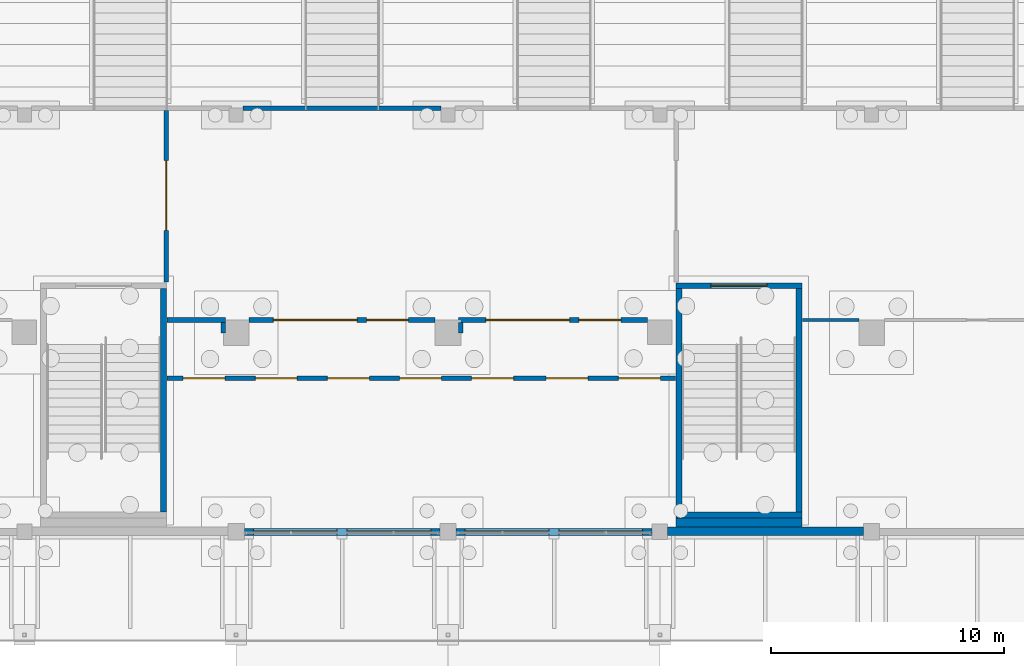
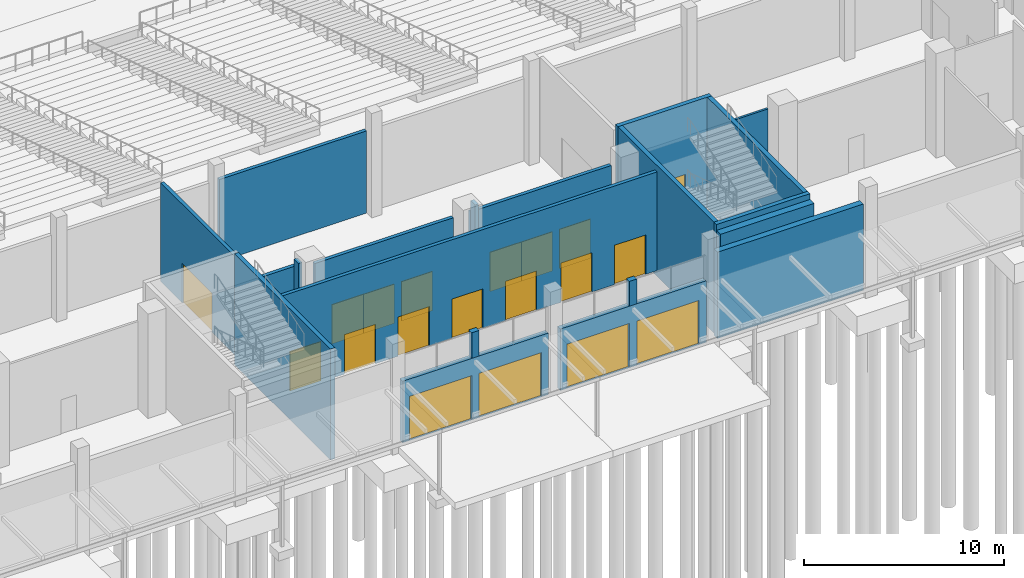
# One storey, part 72 of 129: 20 walls, 19 doors, 19 openings.
"""IFC4 building model written with IfcOpenShell, lengths in metres."""

from ifc_helpers import new_model, si_unit, direction, frame, frame_2d, origin, place, context, subcontext, project, spatial, rectangle, extrude, material, layer, layer_set, type_object, element, fill, save


model = new_model("IFC4")

# Units and contexts
model_context = context("Model", 3, precision=1e-05, world=origin(), true_north=direction((0.0, 1.0)))
body_context = subcontext(model_context, "Body", "Model", "MODEL_VIEW")
ifc_project = project(units=[si_unit("LENGTHUNIT", "METRE"), si_unit("AREAUNIT", "SQUARE_METRE"), si_unit("VOLUMEUNIT", "CUBIC_METRE"), si_unit("PLANEANGLEUNIT", "RADIAN"), si_unit("MASSUNIT", "GRAM", prefix="KILO")], contexts=[model_context])

# Site, building, storey
site_placement = place(None, origin())
site = spatial("IfcSite", under=ifc_project, at=site_placement, CompositionType="ELEMENT")
building_placement = place(site_placement, origin())
building = spatial("IfcBuilding", under=site, at=building_placement, Name="Shirokan Park Arena", CompositionType="ELEMENT")
storey_placement = place(building_placement, origin())
storey = spatial("IfcBuildingStorey", under=building, at=storey_placement, Name="L00", CompositionType="ELEMENT", Elevation=0.0)

# Wall, openings, doors
ifc_material_1 = material(Name="Board-formed concrete C40/50", Category="concrete")
ifc_layer_1 = layer(ifc_material_1, 0.1201171875, Name="Board-formed concrete C40/50")
ifc_material_2 = material(Name="Mineral wool insulation")
ifc_layer_2 = layer(ifc_material_2, 0.10009765625, Name="Mineral wool insulation")
ifc_material_3 = material(Name="Concrete C35", Category="concrete")
ifc_layer_3 = layer(ifc_material_3, 0.080078125, Name="Concrete C35")
ifc_layer_set_1 = layer_set([ifc_layer_1, ifc_layer_2, ifc_layer_3], Name="Board-formed concrete C40/50 + Mineral wool insulation + Concrete C35")
wall_type_1 = type_object("IfcWallType", Name="Board-formed concrete base wall 300", PredefinedType="SOLIDWALL", material=ifc_layer_set_1)
wall_1_placement = place(storey_placement, frame((64.050048828125, 0.0, 0.0), z_axis=(0.0, 0.0, 1.0), x_axis=(1.0, 0.0, 0.0)))
wall_1 = element("IfcWall", 1, at=wall_1_placement, inside=storey, type_object=wall_type_1, Name="South facade wall bay 8 L00", PredefinedType="SOLIDWALL", context=body_context, shape_type="SweptSolid", body=[
    extrude(rectangle(XDim=8.39990234375, YDim=0.300048828125, at=frame_2d((4.199951171875, 0.0))), origin(), (0.0, 0.0, 1.0), 3.75),
])
opening_1_placement = place(wall_1_placement, frame((0.385009765625, 0.0, 0.0)))
opening_1 = element("IfcOpeningElement", 2, at=opening_1_placement, cuts=wall_1, Name="Opening E1-1", PredefinedType="OPENING", context=body_context, shape_type="SweptSolid", body=[
    extrude(rectangle(XDim=3.60009765625, YDim=2.699951171875, at=frame_2d((1.800048828125, 1.35009765625))), frame((0.0, 0.159912109375, 0.0), z_axis=(0.0, -1.0, 0.0), x_axis=(1.0, 0.0, 0.0)), (0.0, 0.0, 1.0), 0.320068359375),
])
opening_2_placement = place(wall_1_placement, frame((4.4150390625, 0.0, 0.0)))
opening_2 = element("IfcOpeningElement", 3, at=opening_2_placement, cuts=wall_1, Name="Opening E1-2", PredefinedType="OPENING", context=body_context, shape_type="SweptSolid", body=[
    extrude(rectangle(XDim=3.60009765625, YDim=2.699951171875, at=frame_2d((1.800048828125, 1.35009765625))), frame((0.0, 0.159912109375, 0.0), z_axis=(0.0, -1.0, 0.0), x_axis=(1.0, 0.0, 0.0)), (0.0, 0.0, 1.0), 0.320068359375),
])
ifc_material_4 = material(Name="Aluminium and glass door", Category="aluminium")
door_type_1 = type_object("IfcDoorType", Name="Entrance door pair 3600x2700", OperationType="DOUBLE_DOOR_SINGLE_SWING", PredefinedType="DOOR", material=ifc_material_4)
door_1_placement = place(opening_1_placement, frame((3.60009765625, 0.0, 0.0), z_axis=(0.0, 0.0, 1.0), x_axis=(-1.0, 0.0, 0.0)))
door_1 = element("IfcDoor", 4, at=door_1_placement, inside=storey, type_object=door_type_1, Name="Entrance E1 door 1", OperationType="DOUBLE_DOOR_SINGLE_SWING", OverallHeight=2.699951171875, OverallWidth=3.60009765625, PredefinedType="DOOR", context=body_context, shape_type="SweptSolid", body=[
    extrude(rectangle(XDim=3.60009765625, YDim=2.699951171875, at=frame_2d((1.800048828125, 1.35009765625))), frame((0.0, 0.02490234375, 0.0), z_axis=(0.0, -1.0, 0.0), x_axis=(1.0, 0.0, 0.0)), (0.0, 0.0, 1.0), 0.050048828125),
])
fill(opening_1, door_1)
door_2_placement = place(opening_2_placement, frame((3.60009765625, 0.0, 0.0), z_axis=(0.0, 0.0, 1.0), x_axis=(-1.0, 0.0, 0.0)))
door_2 = element("IfcDoor", 5, at=door_2_placement, inside=storey, type_object=door_type_1, Name="Entrance E1 door 2", OperationType="DOUBLE_DOOR_SINGLE_SWING", OverallHeight=2.699951171875, OverallWidth=3.60009765625, PredefinedType="DOOR", context=body_context, shape_type="SweptSolid", body=[
    extrude(rectangle(XDim=3.60009765625, YDim=2.699951171875, at=frame_2d((1.800048828125, 1.35009765625))), frame((0.0, 0.02490234375, 0.0), z_axis=(0.0, -1.0, 0.0), x_axis=(1.0, 0.0, 0.0)), (0.0, 0.0, 1.0), 0.050048828125),
])
fill(opening_2, door_2)

# Wall
wall_2_placement = place(storey_placement, frame((68.034912109375, 0.0, 3.75), z_axis=(0.0, 0.0, 1.0), x_axis=(1.0, 0.0, 0.0)))
element("IfcWall", 6, at=wall_2_placement, inside=storey, type_object=wall_type_1, Name="South facade pier over the doors bay 8 L00", PredefinedType="SOLIDWALL", context=body_context, shape_type="SweptSolid", body=[
    extrude(rectangle(XDim=0.43017578125, YDim=0.300048828125, at=frame_2d((0.215087890625, 0.0))), origin(), (0.0, 0.0, 1.0), 1.570068359375),
])

# Wall, openings, doors
wall_3_placement = place(storey_placement, frame((73.14990234375, 0.0, 0.0), z_axis=(0.0, 0.0, 1.0), x_axis=(1.0, 0.0, 0.0)))
wall_3 = element("IfcWall", 7, at=wall_3_placement, inside=storey, type_object=wall_type_1, Name="South facade wall bay 9 L00", PredefinedType="SOLIDWALL", context=body_context, shape_type="SweptSolid", body=[
    extrude(rectangle(XDim=8.425048828125, YDim=0.300048828125, at=frame_2d((4.21240234375, 0.0))), origin(), (0.0, 0.0, 1.0), 3.75),
])
opening_3_placement = place(wall_3_placement, frame((0.385009765625, 0.0, 0.0)))
opening_3 = element("IfcOpeningElement", 8, at=opening_3_placement, cuts=wall_3, Name="Opening E1-3", PredefinedType="OPENING", context=body_context, shape_type="SweptSolid", body=[
    extrude(rectangle(XDim=3.60009765625, YDim=2.699951171875, at=frame_2d((1.800048828125, 1.35009765625))), frame((0.0, 0.159912109375, 0.0), z_axis=(0.0, -1.0, 0.0), x_axis=(1.0, 0.0, 0.0)), (0.0, 0.0, 1.0), 0.320068359375),
])
opening_4_placement = place(wall_3_placement, frame((4.4150390625, 0.0, 0.0)))
opening_4 = element("IfcOpeningElement", 9, at=opening_4_placement, cuts=wall_3, Name="Opening E1-4", PredefinedType="OPENING", context=body_context, shape_type="SweptSolid", body=[
    extrude(rectangle(XDim=3.60009765625, YDim=2.699951171875, at=frame_2d((1.800048828125, 1.35009765625))), frame((0.0, 0.159912109375, 0.0), z_axis=(0.0, -1.0, 0.0), x_axis=(1.0, 0.0, 0.0)), (0.0, 0.0, 1.0), 0.320068359375),
])
door_3_placement = place(opening_3_placement, frame((3.60009765625, 0.0, 0.0), z_axis=(0.0, 0.0, 1.0), x_axis=(-1.0, 0.0, 0.0)))
door_3 = element("IfcDoor", 10, at=door_3_placement, inside=storey, type_object=door_type_1, Name="Entrance E1 door 3", OperationType="DOUBLE_DOOR_SINGLE_SWING", OverallHeight=2.699951171875, OverallWidth=3.60009765625, PredefinedType="DOOR", context=body_context, shape_type="SweptSolid", body=[
    extrude(rectangle(XDim=3.60009765625, YDim=2.699951171875, at=frame_2d((1.800048828125, 1.35009765625))), frame((0.0, 0.02490234375, 0.0), z_axis=(0.0, -1.0, 0.0), x_axis=(1.0, 0.0, 0.0)), (0.0, 0.0, 1.0), 0.050048828125),
])
fill(opening_3, door_3)
door_4_placement = place(opening_4_placement, frame((3.60009765625, 0.0, 0.0), z_axis=(0.0, 0.0, 1.0), x_axis=(-1.0, 0.0, 0.0)))
door_4 = element("IfcDoor", 11, at=door_4_placement, inside=storey, type_object=door_type_1, Name="Entrance E1 door 4", OperationType="DOUBLE_DOOR_SINGLE_SWING", OverallHeight=2.699951171875, OverallWidth=3.60009765625, PredefinedType="DOOR", context=body_context, shape_type="SweptSolid", body=[
    extrude(rectangle(XDim=3.60009765625, YDim=2.699951171875, at=frame_2d((1.800048828125, 1.35009765625))), frame((0.0, 0.02490234375, 0.0), z_axis=(0.0, -1.0, 0.0), x_axis=(1.0, 0.0, 0.0)), (0.0, 0.0, 1.0), 0.050048828125),
])
fill(opening_4, door_4)

# Wall
wall_4_placement = place(storey_placement, frame((77.135009765625, 0.0, 3.75), z_axis=(0.0, 0.0, 1.0), x_axis=(1.0, 0.0, 0.0)))
element("IfcWall", 12, at=wall_4_placement, inside=storey, type_object=wall_type_1, Name="South facade pier over the doors bay 9 L00", PredefinedType="SOLIDWALL", context=body_context, shape_type="SweptSolid", body=[
    extrude(rectangle(XDim=0.429931640625, YDim=0.300048828125, at=frame_2d((0.21484375, 0.0))), origin(), (0.0, 0.0, 1.0), 1.52001953125),
])

# Wall, opening, door
ifc_material_5 = material(Name="Gypsum board")
ifc_layer_4 = layer(ifc_material_5, 0.02490234375, Name="Gypsum board, two layers")
ifc_layer_5 = layer(ifc_material_2, 0.14990234375, Name="Mineral wool insulation")
ifc_layer_6 = layer(ifc_material_5, 0.02490234375, Name="Gypsum board, two layers")
ifc_layer_set_2 = layer_set([ifc_layer_4, ifc_layer_5, ifc_layer_6], Name="Gypsum board, two layers + Mineral wool insulation")
wall_type_2 = type_object("IfcWallType", Name="Corridor wall 200", PredefinedType="PARTITIONING", material=ifc_layer_set_2)
wall_5_placement = place(storey_placement, frame((60.699951171875, 18.10009765625, 0.0), z_axis=(0.0, 0.0, 1.0), x_axis=(0.0, -1.0, 0.0)))
wall_5 = element("IfcWall", 13, at=wall_5_placement, inside=storey, type_object=wall_type_2, Name="Corridor wall 200 L00", PredefinedType="PARTITIONING", context=body_context, shape_type="SweptSolid", body=[
    extrude(rectangle(XDim=7.3701171875, YDim=0.199951171875, at=frame_2d((3.68505859375, 0.0))), origin(), (0.0, 0.0, 1.0), 6.02001953125),
])
opening_5_placement = place(wall_5_placement, frame((2.14990234375, 0.0, 0.0)))
opening_5 = element("IfcOpeningElement", 14, at=opening_5_placement, cuts=wall_5, Name="Opening D-0142", PredefinedType="OPENING", context=body_context, shape_type="SweptSolid", body=[
    extrude(rectangle(XDim=3.0, YDim=2.39990234375, at=frame_2d((1.5, 1.199951171875))), frame((0.0, 0.10986328125, 0.0), z_axis=(0.0, -1.0, 0.0), x_axis=(1.0, 0.0, 0.0)), (0.0, 0.0, 1.0), 0.219970703125),
])
ifc_material_6 = material(Name="Glazed steel door set, fire resisting", Category="steel")
door_type_2 = type_object("IfcDoorType", Name="Concourse door 3000 x 2400", OperationType="DOUBLE_DOOR_SINGLE_SWING", PredefinedType="DOOR", material=ifc_material_6)
door_5_placement = place(opening_5_placement, origin())
door_5 = element("IfcDoor", 15, at=door_5_placement, inside=storey, type_object=door_type_2, Name="Door between Entrance Concourse E1 and Cloakroom Hall E1 D-0142", OperationType="DOUBLE_DOOR_SINGLE_SWING", OverallHeight=2.39990234375, OverallWidth=3.0, PredefinedType="DOOR", context=body_context, shape_type="SweptSolid", body=[
    extrude(rectangle(XDim=3.0, YDim=2.39990234375, at=frame_2d((1.5, 1.199951171875))), frame((0.0, 0.02490234375, 0.0), z_axis=(0.0, -1.0, 0.0), x_axis=(1.0, 0.0, 0.0)), (0.0, 0.0, 1.0), 0.050048828125),
])
fill(opening_5, door_5)

# Walls
wall_6_placement = place(storey_placement, frame((63.14990234375, 8.550048828125, 0.0), z_axis=(0.0, 0.0, 1.0), x_axis=(0.0, 1.0, 0.0)))
element("IfcWall", 16, at=wall_6_placement, inside=storey, type_object=wall_type_2, Name="Corridor wall 200 L00", PredefinedType="PARTITIONING", context=body_context, shape_type="SweptSolid", body=[
    extrude(rectangle(XDim=0.449951171875, YDim=0.199951171875, at=frame_2d((0.22509765625, 0.0))), origin(), (0.0, 0.0, 1.0), 6.02001953125),
])
wall_7_placement = place(storey_placement, frame((63.25, 9.10009765625, 0.0), z_axis=(0.0, 0.0, 1.0), x_axis=(-1.0, 0.0, 0.0)))
element("IfcWall", 17, at=wall_7_placement, inside=storey, type_object=wall_type_2, Name="Corridor wall 200 L00", PredefinedType="PARTITIONING", context=body_context, shape_type="SweptSolid", body=[
    extrude(rectangle(XDim=2.52001953125, YDim=0.199951171875, at=frame_2d((1.260009765625, 0.0))), origin(), (0.0, 0.0, 1.0), 5.570068359375),
])
wall_8_placement = place(storey_placement, frame((64.0, 18.199951171875, 0.0), z_axis=(0.0, 0.0, 1.0), x_axis=(1.0, 0.0, 0.0)))
element("IfcWall", 18, at=wall_8_placement, inside=storey, type_object=wall_type_2, Name="Corridor wall 200 L00", PredefinedType="PARTITIONING", context=body_context, shape_type="SweptSolid", body=[
    extrude(rectangle(XDim=8.5, YDim=0.199951171875, at=frame_2d((4.25, 0.0))), origin(), (0.0, 0.0, 1.0), 5.02001953125),
])

# Wall, openings, doors
wall_9_placement = place(storey_placement, frame((72.25, 9.10009765625, 0.0), z_axis=(0.0, 0.0, 1.0), x_axis=(-1.0, 0.0, 0.0)))
wall_9 = element("IfcWall", 19, at=wall_9_placement, inside=storey, type_object=wall_type_2, Name="Corridor wall 200 L00", PredefinedType="PARTITIONING", context=body_context, shape_type="SweptSolid", body=[
    extrude(rectangle(XDim=8.0, YDim=0.199951171875, at=frame_2d((4.0, 0.0))), origin(), (0.0, 0.0, 1.0), 5.320068359375),
])
opening_6_placement = place(wall_9_placement, frame((1.14990234375, 0.0, 0.0)))
opening_6 = element("IfcOpeningElement", 20, at=opening_6_placement, cuts=wall_9, Name="Opening D-0139", PredefinedType="OPENING", context=body_context, shape_type="SweptSolid", body=[
    extrude(rectangle(XDim=1.800048828125, YDim=2.39990234375, at=frame_2d((0.89990234375, 1.199951171875))), frame((0.0, 0.10986328125, 0.0), z_axis=(0.0, -1.0, 0.0), x_axis=(1.0, 0.0, 0.0)), (0.0, 0.0, 1.0), 0.219970703125),
])
opening_7_placement = place(wall_9_placement, frame((5.14990234375, 0.0, 0.0)))
opening_7 = element("IfcOpeningElement", 21, at=opening_7_placement, cuts=wall_9, Name="Opening D-0140", PredefinedType="OPENING", context=body_context, shape_type="SweptSolid", body=[
    extrude(rectangle(XDim=1.800048828125, YDim=2.39990234375, at=frame_2d((0.89990234375, 1.199951171875))), frame((0.0, 0.10986328125, 0.0), z_axis=(0.0, -1.0, 0.0), x_axis=(1.0, 0.0, 0.0)), (0.0, 0.0, 1.0), 0.219970703125),
])
opening_8_placement = place(wall_9_placement, frame((3.35009765625, 0.0, 0.0)))
opening_8 = element("IfcOpeningElement", 22, at=opening_8_placement, cuts=wall_9, Name="Opening D-0141", PredefinedType="OPENING", context=body_context, shape_type="SweptSolid", body=[
    extrude(rectangle(XDim=1.800048828125, YDim=2.39990234375, at=frame_2d((0.89990234375, 1.199951171875))), frame((0.0, 0.10986328125, 0.0), z_axis=(0.0, -1.0, 0.0), x_axis=(1.0, 0.0, 0.0)), (0.0, 0.0, 1.0), 0.219970703125),
])
door_type_3 = type_object("IfcDoorType", Name="Lift lobby door 1800 x 2400", OperationType="DOUBLE_DOOR_SINGLE_SWING", PredefinedType="DOOR", material=ifc_material_6)
door_6_placement = place(opening_6_placement, origin())
door_6 = element("IfcDoor", 23, at=door_6_placement, inside=storey, type_object=door_type_3, Name="Door between Entrance Concourse E1 and Bag Check Hall E1 D-0139", OperationType="DOUBLE_DOOR_SINGLE_SWING", OverallHeight=2.39990234375, OverallWidth=1.800048828125, PredefinedType="DOOR", context=body_context, shape_type="SweptSolid", body=[
    extrude(rectangle(XDim=1.800048828125, YDim=2.39990234375, at=frame_2d((0.89990234375, 1.199951171875))), frame((0.0, 0.02490234375, 0.0), z_axis=(0.0, -1.0, 0.0), x_axis=(1.0, 0.0, 0.0)), (0.0, 0.0, 1.0), 0.050048828125),
])
fill(opening_6, door_6)
door_7_placement = place(opening_7_placement, origin())
door_7 = element("IfcDoor", 24, at=door_7_placement, inside=storey, type_object=door_type_3, Name="Door between Entrance Concourse E1 and Bag Check Hall E1 D-0140", OperationType="DOUBLE_DOOR_SINGLE_SWING", OverallHeight=2.39990234375, OverallWidth=1.800048828125, PredefinedType="DOOR", context=body_context, shape_type="SweptSolid", body=[
    extrude(rectangle(XDim=1.800048828125, YDim=2.39990234375, at=frame_2d((0.89990234375, 1.199951171875))), frame((0.0, 0.02490234375, 0.0), z_axis=(0.0, -1.0, 0.0), x_axis=(1.0, 0.0, 0.0)), (0.0, 0.0, 1.0), 0.050048828125),
])
fill(opening_7, door_7)
door_8_placement = place(opening_8_placement, origin())
door_8 = element("IfcDoor", 25, at=door_8_placement, inside=storey, type_object=door_type_3, Name="Door between Entrance Concourse E1 and Bag Check Hall E1 D-0141", OperationType="DOUBLE_DOOR_SINGLE_SWING", OverallHeight=2.39990234375, OverallWidth=1.800048828125, PredefinedType="DOOR", context=body_context, shape_type="SweptSolid", body=[
    extrude(rectangle(XDim=1.800048828125, YDim=2.39990234375, at=frame_2d((0.89990234375, 1.199951171875))), frame((0.0, 0.02490234375, 0.0), z_axis=(0.0, -1.0, 0.0), x_axis=(1.0, 0.0, 0.0)), (0.0, 0.0, 1.0), 0.050048828125),
])
fill(opening_8, door_8)

# Wall
wall_10_placement = place(storey_placement, frame((73.35009765625, 9.0, 0.0), z_axis=(0.0, 0.0, 1.0), x_axis=(0.0, -1.0, 0.0)))
element("IfcWall", 26, at=wall_10_placement, inside=storey, type_object=wall_type_2, Name="Corridor wall 200 L00", PredefinedType="PARTITIONING", context=body_context, shape_type="SweptSolid", body=[
    extrude(rectangle(XDim=0.449951171875, YDim=0.199951171875, at=frame_2d((0.22509765625, 0.0))), origin(), (0.0, 0.0, 1.0), 6.02001953125),
])

# Wall, openings, doors
wall_11_placement = place(storey_placement, frame((81.375, 9.10009765625, 0.0), z_axis=(0.0, 0.0, 1.0), x_axis=(-1.0, 0.0, 0.0)))
wall_11 = element("IfcWall", 27, at=wall_11_placement, inside=storey, type_object=wall_type_2, Name="Corridor wall 200 L00", PredefinedType="PARTITIONING", context=body_context, shape_type="SweptSolid", body=[
    extrude(rectangle(XDim=8.125, YDim=0.199951171875, at=frame_2d((4.0625, 0.0))), origin(), (0.0, 0.0, 1.0), 5.320068359375),
])
opening_9_placement = place(wall_11_placement, frame((1.14990234375, 0.0, 0.0)))
opening_9 = element("IfcOpeningElement", 28, at=opening_9_placement, cuts=wall_11, Name="Opening D-0136", PredefinedType="OPENING", context=body_context, shape_type="SweptSolid", body=[
    extrude(rectangle(XDim=1.800048828125, YDim=2.39990234375, at=frame_2d((0.89990234375, 1.199951171875))), frame((0.0, 0.10986328125, 0.0), z_axis=(0.0, -1.0, 0.0), x_axis=(1.0, 0.0, 0.0)), (0.0, 0.0, 1.0), 0.219970703125),
])
opening_10_placement = place(wall_11_placement, frame((5.14990234375, 0.0, 0.0)))
opening_10 = element("IfcOpeningElement", 29, at=opening_10_placement, cuts=wall_11, Name="Opening D-0137", PredefinedType="OPENING", context=body_context, shape_type="SweptSolid", body=[
    extrude(rectangle(XDim=1.800048828125, YDim=2.39990234375, at=frame_2d((0.89990234375, 1.199951171875))), frame((0.0, 0.10986328125, 0.0), z_axis=(0.0, -1.0, 0.0), x_axis=(1.0, 0.0, 0.0)), (0.0, 0.0, 1.0), 0.219970703125),
])
opening_11_placement = place(wall_11_placement, frame((3.35009765625, 0.0, 0.0)))
opening_11 = element("IfcOpeningElement", 30, at=opening_11_placement, cuts=wall_11, Name="Opening D-0138", PredefinedType="OPENING", context=body_context, shape_type="SweptSolid", body=[
    extrude(rectangle(XDim=1.800048828125, YDim=2.39990234375, at=frame_2d((0.89990234375, 1.199951171875))), frame((0.0, 0.10986328125, 0.0), z_axis=(0.0, -1.0, 0.0), x_axis=(1.0, 0.0, 0.0)), (0.0, 0.0, 1.0), 0.219970703125),
])
door_9_placement = place(opening_9_placement, origin())
door_9 = element("IfcDoor", 31, at=door_9_placement, inside=storey, type_object=door_type_3, Name="Door between Entrance Concourse E1 and Bag Check Hall E1 D-0136", OperationType="DOUBLE_DOOR_SINGLE_SWING", OverallHeight=2.39990234375, OverallWidth=1.800048828125, PredefinedType="DOOR", context=body_context, shape_type="SweptSolid", body=[
    extrude(rectangle(XDim=1.800048828125, YDim=2.39990234375, at=frame_2d((0.89990234375, 1.199951171875))), frame((0.0, 0.02490234375, 0.0), z_axis=(0.0, -1.0, 0.0), x_axis=(1.0, 0.0, 0.0)), (0.0, 0.0, 1.0), 0.050048828125),
])
fill(opening_9, door_9)
door_10_placement = place(opening_10_placement, origin())
door_10 = element("IfcDoor", 32, at=door_10_placement, inside=storey, type_object=door_type_3, Name="Door between Entrance Concourse E1 and Bag Check Hall E1 D-0137", OperationType="DOUBLE_DOOR_SINGLE_SWING", OverallHeight=2.39990234375, OverallWidth=1.800048828125, PredefinedType="DOOR", context=body_context, shape_type="SweptSolid", body=[
    extrude(rectangle(XDim=1.800048828125, YDim=2.39990234375, at=frame_2d((0.89990234375, 1.199951171875))), frame((0.0, 0.02490234375, 0.0), z_axis=(0.0, -1.0, 0.0), x_axis=(1.0, 0.0, 0.0)), (0.0, 0.0, 1.0), 0.050048828125),
])
fill(opening_10, door_10)
door_11_placement = place(opening_11_placement, origin())
door_11 = element("IfcDoor", 33, at=door_11_placement, inside=storey, type_object=door_type_3, Name="Door between Entrance Concourse E1 and Bag Check Hall E1 D-0138", OperationType="DOUBLE_DOOR_SINGLE_SWING", OverallHeight=2.39990234375, OverallWidth=1.800048828125, PredefinedType="DOOR", context=body_context, shape_type="SweptSolid", body=[
    extrude(rectangle(XDim=1.800048828125, YDim=2.39990234375, at=frame_2d((0.89990234375, 1.199951171875))), frame((0.0, 0.02490234375, 0.0), z_axis=(0.0, -1.0, 0.0), x_axis=(1.0, 0.0, 0.0)), (0.0, 0.0, 1.0), 0.050048828125),
])
fill(opening_11, door_11)

wall_12_placement = place(storey_placement, frame((82.570068359375, 6.60009765625, 0.0), z_axis=(0.0, 0.0, 1.0), x_axis=(-1.0, 0.0, 0.0)))
wall_12 = element("IfcWall", 34, at=wall_12_placement, inside=storey, type_object=wall_type_2, Name="Corridor wall 200 L00", PredefinedType="PARTITIONING", context=body_context, shape_type="SweptSolid", body=[
    extrude(rectangle(XDim=21.840087890625, YDim=0.199951171875, at=frame_2d((10.919921875, 0.0))), origin(), (0.0, 0.0, 1.0), 6.02001953125),
])
opening_12_placement = place(wall_12_placement, frame((0.64990234375, 0.0, 0.0)))
opening_12 = element("IfcOpeningElement", 35, at=opening_12_placement, cuts=wall_12, Name="Opening D-0143", PredefinedType="OPENING", context=body_context, shape_type="SweptSolid", body=[
    extrude(rectangle(XDim=1.800048828125, YDim=2.39990234375, at=frame_2d((0.89990234375, 1.199951171875))), frame((0.0, 0.10986328125, 0.0), z_axis=(0.0, -1.0, 0.0), x_axis=(1.0, 0.0, 0.0)), (0.0, 0.0, 1.0), 0.219970703125),
])
opening_13_placement = place(wall_12_placement, frame((3.75, 0.0, 0.0)))
opening_13 = element("IfcOpeningElement", 36, at=opening_13_placement, cuts=wall_12, Name="Opening D-0144", PredefinedType="OPENING", context=body_context, shape_type="SweptSolid", body=[
    extrude(rectangle(XDim=1.800048828125, YDim=2.39990234375, at=frame_2d((0.89990234375, 1.199951171875))), frame((0.0, 0.10986328125, 0.0), z_axis=(0.0, -1.0, 0.0), x_axis=(1.0, 0.0, 0.0)), (0.0, 0.0, 1.0), 0.219970703125),
])
opening_14_placement = place(wall_12_placement, frame((6.949951171875, 0.0, 0.0)))
opening_14 = element("IfcOpeningElement", 37, at=opening_14_placement, cuts=wall_12, Name="Opening D-0145", PredefinedType="OPENING", context=body_context, shape_type="SweptSolid", body=[
    extrude(rectangle(XDim=1.800048828125, YDim=2.39990234375, at=frame_2d((0.89990234375, 1.199951171875))), frame((0.0, 0.10986328125, 0.0), z_axis=(0.0, -1.0, 0.0), x_axis=(1.0, 0.0, 0.0)), (0.0, 0.0, 1.0), 0.219970703125),
])
opening_15_placement = place(wall_12_placement, frame((10.050048828125, 0.0, 0.0)))
opening_15 = element("IfcOpeningElement", 38, at=opening_15_placement, cuts=wall_12, Name="Opening D-0146", PredefinedType="OPENING", context=body_context, shape_type="SweptSolid", body=[
    extrude(rectangle(XDim=1.800048828125, YDim=2.39990234375, at=frame_2d((0.89990234375, 1.199951171875))), frame((0.0, 0.10986328125, 0.0), z_axis=(0.0, -1.0, 0.0), x_axis=(1.0, 0.0, 0.0)), (0.0, 0.0, 1.0), 0.219970703125),
])
opening_16_placement = place(wall_12_placement, frame((13.14990234375, 0.0, 0.0)))
opening_16 = element("IfcOpeningElement", 39, at=opening_16_placement, cuts=wall_12, Name="Opening D-0147", PredefinedType="OPENING", context=body_context, shape_type="SweptSolid", body=[
    extrude(rectangle(XDim=1.800048828125, YDim=2.39990234375, at=frame_2d((0.89990234375, 1.199951171875))), frame((0.0, 0.10986328125, 0.0), z_axis=(0.0, -1.0, 0.0), x_axis=(1.0, 0.0, 0.0)), (0.0, 0.0, 1.0), 0.219970703125),
])
opening_17_placement = place(wall_12_placement, frame((16.25, 0.0, 0.0)))
opening_17 = element("IfcOpeningElement", 40, at=opening_17_placement, cuts=wall_12, Name="Opening D-0148", PredefinedType="OPENING", context=body_context, shape_type="SweptSolid", body=[
    extrude(rectangle(XDim=1.800048828125, YDim=2.39990234375, at=frame_2d((0.89990234375, 1.199951171875))), frame((0.0, 0.10986328125, 0.0), z_axis=(0.0, -1.0, 0.0), x_axis=(1.0, 0.0, 0.0)), (0.0, 0.0, 1.0), 0.219970703125),
])
opening_18_placement = place(wall_12_placement, frame((19.35009765625, 0.0, 0.0)))
opening_18 = element("IfcOpeningElement", 41, at=opening_18_placement, cuts=wall_12, Name="Opening D-0149", PredefinedType="OPENING", context=body_context, shape_type="SweptSolid", body=[
    extrude(rectangle(XDim=1.800048828125, YDim=2.39990234375, at=frame_2d((0.89990234375, 1.199951171875))), frame((0.0, 0.10986328125, 0.0), z_axis=(0.0, -1.0, 0.0), x_axis=(1.0, 0.0, 0.0)), (0.0, 0.0, 1.0), 0.219970703125),
])
door_12_placement = place(opening_12_placement, origin())
door_12 = element("IfcDoor", 42, at=door_12_placement, inside=storey, type_object=door_type_3, Name="Door between Street Vestibule E1 and Bag Check Hall E1 D-0143", OperationType="DOUBLE_DOOR_SINGLE_SWING", OverallHeight=2.39990234375, OverallWidth=1.800048828125, PredefinedType="DOOR", context=body_context, shape_type="SweptSolid", body=[
    extrude(rectangle(XDim=1.800048828125, YDim=2.39990234375, at=frame_2d((0.89990234375, 1.199951171875))), frame((0.0, 0.02490234375, 0.0), z_axis=(0.0, -1.0, 0.0), x_axis=(1.0, 0.0, 0.0)), (0.0, 0.0, 1.0), 0.050048828125),
])
fill(opening_12, door_12)
door_13_placement = place(opening_13_placement, origin())
door_13 = element("IfcDoor", 43, at=door_13_placement, inside=storey, type_object=door_type_3, Name="Door between Street Vestibule E1 and Bag Check Hall E1 D-0144", OperationType="DOUBLE_DOOR_SINGLE_SWING", OverallHeight=2.39990234375, OverallWidth=1.800048828125, PredefinedType="DOOR", context=body_context, shape_type="SweptSolid", body=[
    extrude(rectangle(XDim=1.800048828125, YDim=2.39990234375, at=frame_2d((0.89990234375, 1.199951171875))), frame((0.0, 0.02490234375, 0.0), z_axis=(0.0, -1.0, 0.0), x_axis=(1.0, 0.0, 0.0)), (0.0, 0.0, 1.0), 0.050048828125),
])
fill(opening_13, door_13)
door_14_placement = place(opening_14_placement, origin())
door_14 = element("IfcDoor", 44, at=door_14_placement, inside=storey, type_object=door_type_3, Name="Door between Street Vestibule E1 and Bag Check Hall E1 D-0145", OperationType="DOUBLE_DOOR_SINGLE_SWING", OverallHeight=2.39990234375, OverallWidth=1.800048828125, PredefinedType="DOOR", context=body_context, shape_type="SweptSolid", body=[
    extrude(rectangle(XDim=1.800048828125, YDim=2.39990234375, at=frame_2d((0.89990234375, 1.199951171875))), frame((0.0, 0.02490234375, 0.0), z_axis=(0.0, -1.0, 0.0), x_axis=(1.0, 0.0, 0.0)), (0.0, 0.0, 1.0), 0.050048828125),
])
fill(opening_14, door_14)
door_15_placement = place(opening_15_placement, origin())
door_15 = element("IfcDoor", 45, at=door_15_placement, inside=storey, type_object=door_type_3, Name="Door between Street Vestibule E1 and Bag Check Hall E1 D-0146", OperationType="DOUBLE_DOOR_SINGLE_SWING", OverallHeight=2.39990234375, OverallWidth=1.800048828125, PredefinedType="DOOR", context=body_context, shape_type="SweptSolid", body=[
    extrude(rectangle(XDim=1.800048828125, YDim=2.39990234375, at=frame_2d((0.89990234375, 1.199951171875))), frame((0.0, 0.02490234375, 0.0), z_axis=(0.0, -1.0, 0.0), x_axis=(1.0, 0.0, 0.0)), (0.0, 0.0, 1.0), 0.050048828125),
])
fill(opening_15, door_15)
door_16_placement = place(opening_16_placement, origin())
door_16 = element("IfcDoor", 46, at=door_16_placement, inside=storey, type_object=door_type_3, Name="Door between Street Vestibule E1 and Bag Check Hall E1 D-0147", OperationType="DOUBLE_DOOR_SINGLE_SWING", OverallHeight=2.39990234375, OverallWidth=1.800048828125, PredefinedType="DOOR", context=body_context, shape_type="SweptSolid", body=[
    extrude(rectangle(XDim=1.800048828125, YDim=2.39990234375, at=frame_2d((0.89990234375, 1.199951171875))), frame((0.0, 0.02490234375, 0.0), z_axis=(0.0, -1.0, 0.0), x_axis=(1.0, 0.0, 0.0)), (0.0, 0.0, 1.0), 0.050048828125),
])
fill(opening_16, door_16)
door_17_placement = place(opening_17_placement, origin())
door_17 = element("IfcDoor", 47, at=door_17_placement, inside=storey, type_object=door_type_3, Name="Door between Street Vestibule E1 and Bag Check Hall E1 D-0148", OperationType="DOUBLE_DOOR_SINGLE_SWING", OverallHeight=2.39990234375, OverallWidth=1.800048828125, PredefinedType="DOOR", context=body_context, shape_type="SweptSolid", body=[
    extrude(rectangle(XDim=1.800048828125, YDim=2.39990234375, at=frame_2d((0.89990234375, 1.199951171875))), frame((0.0, 0.02490234375, 0.0), z_axis=(0.0, -1.0, 0.0), x_axis=(1.0, 0.0, 0.0)), (0.0, 0.0, 1.0), 0.050048828125),
])
fill(opening_17, door_17)
door_18_placement = place(opening_18_placement, origin())
door_18 = element("IfcDoor", 48, at=door_18_placement, inside=storey, type_object=door_type_3, Name="Door between Street Vestibule E1 and Bag Check Hall E1 D-0149", OperationType="DOUBLE_DOOR_SINGLE_SWING", OverallHeight=2.39990234375, OverallWidth=1.800048828125, PredefinedType="DOOR", context=body_context, shape_type="SweptSolid", body=[
    extrude(rectangle(XDim=1.800048828125, YDim=2.39990234375, at=frame_2d((0.89990234375, 1.199951171875))), frame((0.0, 0.02490234375, 0.0), z_axis=(0.0, -1.0, 0.0), x_axis=(1.0, 0.0, 0.0)), (0.0, 0.0, 1.0), 0.050048828125),
])
fill(opening_18, door_18)

# Walls
ifc_material_7 = material(Name="Cedar cladding")
ifc_layer_7 = layer(ifc_material_7, 0.030029296875, Name="Cedar cladding")
ifc_layer_8 = layer(ifc_material_2, 0.10009765625, Name="Mineral wool insulation")
ifc_layer_9 = layer(ifc_material_3, 0.199951171875, Name="Concrete C35")
ifc_material_8 = material(Name="Gypsum board lining")
ifc_layer_10 = layer(ifc_material_8, 0.02001953125, Name="Gypsum board lining")
ifc_layer_set_3 = layer_set([ifc_layer_7, ifc_layer_8, ifc_layer_9, ifc_layer_10], Name="Cedar cladding + Mineral wool insulation + Concrete C35 + Gypsum board lining")
wall_type_3 = type_object("IfcWallType", Name="Insulated tower wall 350", PredefinedType="SOLIDWALL", material=ifc_layer_set_3)
wall_13_placement = place(storey_placement, frame((82.22509765625, 0.02490234375, 0.0), z_axis=(0.0, 0.0, 1.0), x_axis=(1.0, 0.0, 0.0)))
element("IfcWall", 49, at=wall_13_placement, inside=storey, type_object=wall_type_3, Name="South facade wall bay 10 L00", PredefinedType="SOLIDWALL", context=body_context, shape_type="SweptSolid", body=[
    extrude(rectangle(XDim=8.4248046875, YDim=0.35009765625, at=frame_2d((4.21240234375, 0.0))), origin(), (0.0, 0.0, 1.0), 5.27001953125),
])
ifc_material_9 = material(Name="Concrete C40/50", Category="concrete")
ifc_layer_11 = layer(ifc_material_9, 0.25)
ifc_layer_set_4 = layer_set([ifc_layer_11], Name="Concrete C40/50 250 mm")
wall_type_4 = type_object("IfcWallType", Name="RC shear wall 250", PredefinedType="SHEAR", material=ifc_layer_set_4)
wall_14_placement = place(storey_placement, frame((60.574951171875, 10.449951171875, -0.39990234375), z_axis=(0.0, 0.0, 1.0), x_axis=(0.0, -1.0, 0.0)))
element("IfcWall", 50, at=wall_14_placement, inside=storey, type_object=wall_type_4, Name="Shaft wall Entrance Stair E1.1 E L00", PredefinedType="SHEAR", context=body_context, shape_type="SweptSolid", body=[
    extrude(rectangle(XDim=9.599853515625, YDim=0.25, at=frame_2d((4.7998046875, 0.0))), origin(), (0.0, 0.0, 1.0), 6.77001953125),
])
wall_15_placement = place(storey_placement, frame((88.0, 0.72509765625, -0.39990234375), z_axis=(0.0, 0.0, 1.0), x_axis=(-1.0, 0.0, 0.0)))
element("IfcWall", 51, at=wall_15_placement, inside=storey, type_object=wall_type_4, Name="Shaft wall Entrance Stair E1.2 S L00", PredefinedType="SHEAR", context=body_context, shape_type="SweptSolid", body=[
    extrude(rectangle(XDim=5.39990234375, YDim=0.25, at=frame_2d((2.699951171875, 0.0))), origin(), (0.0, 0.0, 1.0), 6.77001953125),
])

# Wall, opening, door
wall_16_placement = place(storey_placement, frame((88.0, 10.574951171875, -0.39990234375), z_axis=(0.0, 0.0, 1.0), x_axis=(-1.0, 0.0, 0.0)))
wall_16 = element("IfcWall", 52, at=wall_16_placement, inside=storey, type_object=wall_type_4, Name="Shaft wall Entrance Stair E1.2 N L00", PredefinedType="SHEAR", context=body_context, shape_type="SweptSolid", body=[
    extrude(rectangle(XDim=5.39990234375, YDim=0.25, at=frame_2d((2.699951171875, 0.0))), origin(), (0.0, 0.0, 1.0), 6.77001953125),
])
opening_19_placement = place(wall_16_placement, frame((1.5, 0.0, 0.39990234375)))
opening_19 = element("IfcOpeningElement", 53, at=opening_19_placement, cuts=wall_16, Name="Opening D-0197", PredefinedType="OPENING", context=body_context, shape_type="SweptSolid", body=[
    extrude(rectangle(XDim=2.39990234375, YDim=2.10009765625, at=frame_2d((1.199951171875, 1.050048828125))), frame((0.0, 0.135009765625, 0.0), z_axis=(0.0, -1.0, 0.0), x_axis=(1.0, 0.0, 0.0)), (0.0, 0.0, 1.0), 0.27001953125),
])
ifc_material_10 = material(Name="Steel door set, fire resisting", Category="steel")
door_type_4 = type_object("IfcDoorType", Name="Stair door 2400 x 2100", OperationType="DOUBLE_DOOR_SINGLE_SWING", PredefinedType="DOOR", material=ifc_material_10)
door_19_placement = place(opening_19_placement, origin())
door_19 = element("IfcDoor", 54, at=door_19_placement, inside=storey, type_object=door_type_4, Name="Stair door Entrance Stair E1.2 D-0197", OperationType="DOUBLE_DOOR_SINGLE_SWING", OverallHeight=2.10009765625, OverallWidth=2.39990234375, PredefinedType="DOOR", context=body_context, shape_type="SweptSolid", body=[
    extrude(rectangle(XDim=2.39990234375, YDim=2.10009765625, at=frame_2d((1.199951171875, 1.050048828125))), frame((0.0, 0.02490234375, 0.0), z_axis=(0.0, -1.0, 0.0), x_axis=(1.0, 0.0, 0.0)), (0.0, 0.0, 1.0), 0.050048828125),
])
fill(opening_19, door_19)

# Walls
for number, where, z_axis, x_axis, name in (
    (55, (82.72509765625, 10.449951171875, -0.39990234375), (0.0, 0.0, 1.0), (0.0, -1.0, 0.0), "Shaft wall Entrance Stair E1.2 W L00"),
    (56, (87.875, 10.449951171875, -0.39990234375), (0.0, 0.0, 1.0), (0.0, -1.0, 0.0), "Shaft wall Entrance Stair E1.2 E L00"),
):
    element("IfcWall", number, at=place(storey_placement, frame(where, z_axis=z_axis, x_axis=x_axis)), inside=storey, type_object=wall_type_4, Name=name, PredefinedType="SHEAR", context=body_context, shape_type="SweptSolid", body=[
        extrude(rectangle(XDim=9.599853515625, YDim=0.25, at=frame_2d((4.7998046875, 0.0))), origin(), (0.0, 0.0, 1.0), 6.77001953125),
    ])
ifc_layer_12 = layer(ifc_material_3, 0.39990234375)
ifc_layer_set_5 = layer_set([ifc_layer_12], Name="Concrete C35 400 mm")
wall_type_5 = type_object("IfcWallType", Name="Shaft infill wall 400", PredefinedType="SOLIDWALL", material=ifc_layer_set_5)
wall_17_placement = place(storey_placement, frame((82.60009765625, 0.39990234375, 0.0), z_axis=(0.0, 0.0, 1.0), x_axis=(1.0, 0.0, 0.0)))
element("IfcWall", 57, at=wall_17_placement, inside=storey, type_object=wall_type_5, Name="Shaft infill wall L00", PredefinedType="SOLIDWALL", context=body_context, shape_type="SweptSolid", body=[
    extrude(rectangle(XDim=5.39990234375, YDim=0.39990234375, at=frame_2d((2.699951171875, 0.0))), origin(), (0.0, 0.0, 1.0), 6.02001953125),
])
ifc_material_11 = material(Name="Ceramic tile")
ifc_layer_13 = layer(ifc_material_11, 0.010009765625, Name="Ceramic tile")
ifc_material_12 = material(Name="Cement board")
ifc_layer_14 = layer(ifc_material_12, 0.012451171875, Name="Cement board")
ifc_layer_15 = layer(ifc_material_2, 0.080078125, Name="Mineral wool insulation")
ifc_layer_16 = layer(ifc_material_12, 0.012451171875, Name="Cement board")
ifc_layer_17 = layer(ifc_material_11, 0.010009765625, Name="Ceramic tile")
ifc_layer_set_6 = layer_set([ifc_layer_13, ifc_layer_14, ifc_layer_15, ifc_layer_16, ifc_layer_17], Name="Ceramic tile + Cement board + Mineral wool insulation")
wall_type_6 = type_object("IfcWallType", Name="Wet-area wall 125", PredefinedType="PARTITIONING", material=ifc_layer_set_6)
wall_18_placement = place(storey_placement, frame((90.449951171875, 9.10009765625, 0.0), z_axis=(0.0, 0.0, 1.0), x_axis=(-1.0, 0.0, 0.0)))
element("IfcWall", 58, at=wall_18_placement, inside=storey, type_object=wall_type_6, Name="Wet-area wall 125 L00", PredefinedType="PARTITIONING", context=body_context, shape_type="SweptSolid", body=[
    extrude(rectangle(XDim=2.419921875, YDim=0.125, at=frame_2d((1.2099609375, 0.0))), origin(), (0.0, 0.0, 1.0), 5.570068359375),
])

save(model, "model.ifc")
